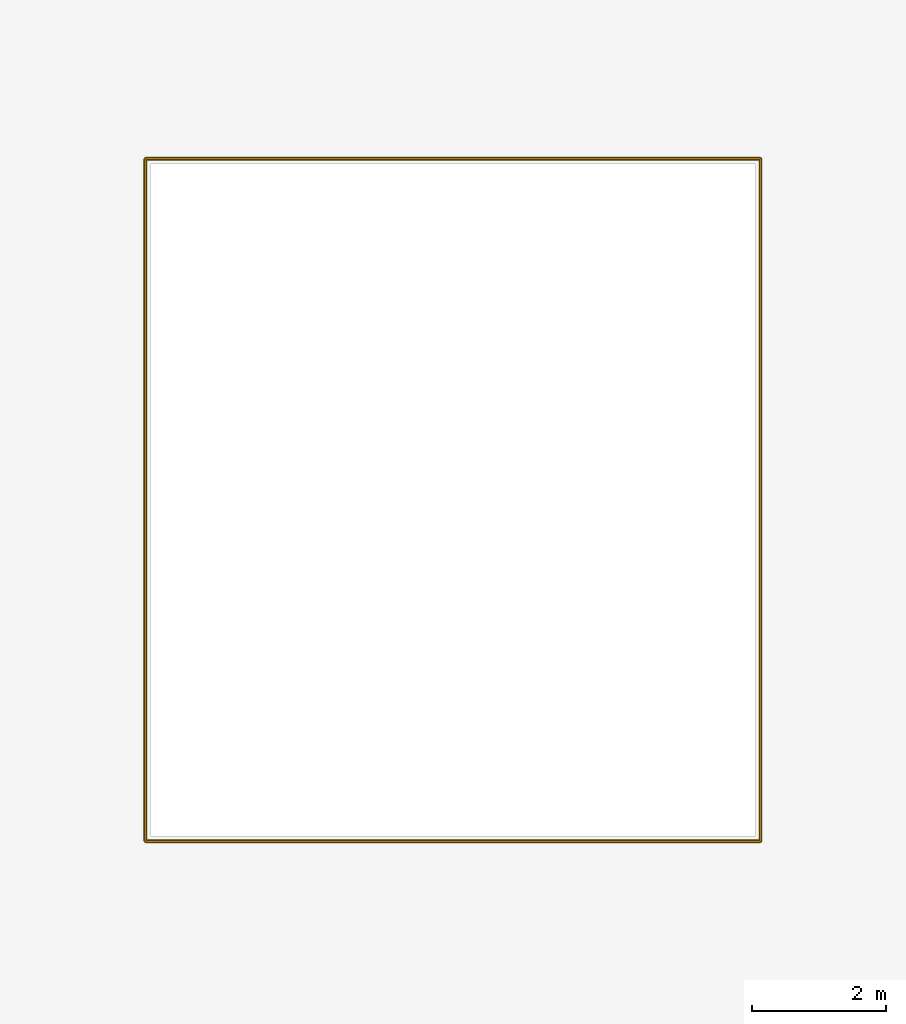
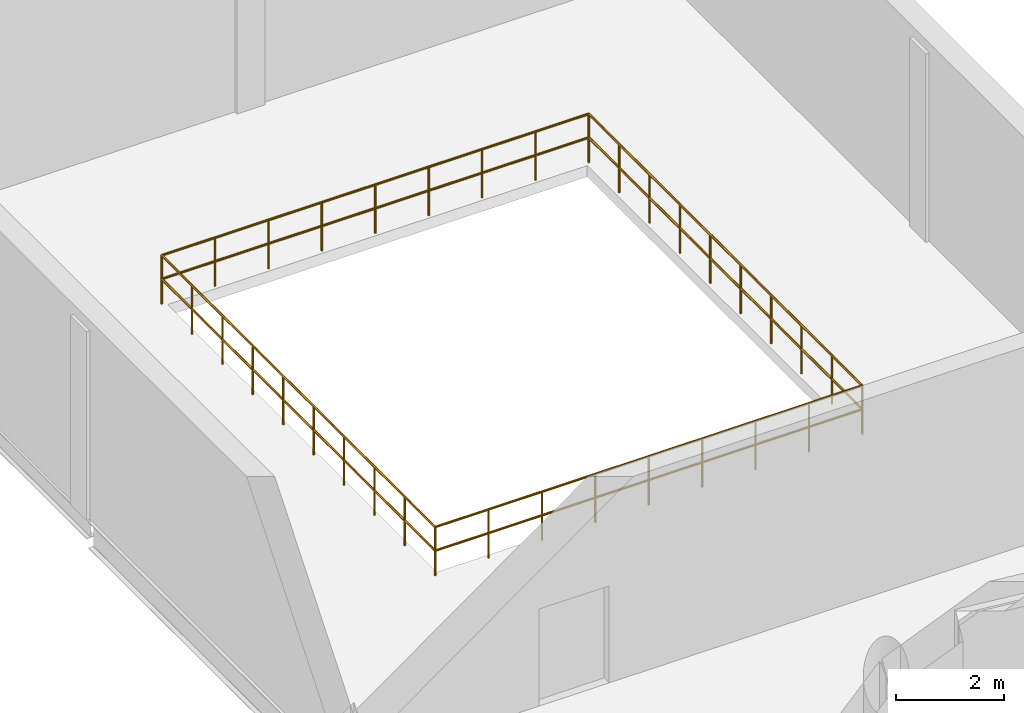
# One storey, part 10 of 10: 1 railing.
"""IFC4 building model written with IfcOpenShell, lengths in metres."""

from ifc_helpers import new_model, si_unit, direction, frame, origin, origin_2d, place, context, subcontext, project, spatial, circle, extrude, material, type_object, element, save


model = new_model("IFC4")

# Units and contexts
model_context = context("Model", 3, precision=1e-05, world=origin(), true_north=direction((0.0, 1.0)))
body_context = subcontext(model_context, "Body", "Model", "MODEL_VIEW")
ifc_project = project(units=[si_unit("LENGTHUNIT", "METRE"), si_unit("AREAUNIT", "SQUARE_METRE"), si_unit("VOLUMEUNIT", "CUBIC_METRE"), si_unit("PLANEANGLEUNIT", "RADIAN"), si_unit("MASSUNIT", "GRAM", prefix="KILO")], contexts=[model_context])

# Site, building, storey
site_placement = place(None, origin())
site = spatial("IfcSite", under=ifc_project, at=site_placement, CompositionType="ELEMENT")
building_placement = place(site_placement, origin())
building = spatial("IfcBuilding", under=site, at=building_placement, Name="Marnock Terrace Opera House", CompositionType="ELEMENT")
storey_placement = place(building_placement, frame((0.0, 0.0, 23.699951171875)))
storey = spatial("IfcBuildingStorey", under=building, at=storey_placement, Name="L05", CompositionType="ELEMENT", Elevation=23.699951171875)

# Railing
ifc_material = material(Name="Architectural bronze balustrade")
railing_type = type_object("IfcRailingType", Name="RL-ATRIUM-1120", PredefinedType="BALUSTRADE", material=ifc_material)
railing_placement = place(storey_placement, frame((77.419921875, 88.919921875, 0.0)))
element("IfcRailing", 1, at=railing_placement, inside=storey, type_object=railing_type, Name="L05 floor opening balustrade GRIDIRON-VOID", PredefinedType="BALUSTRADE", context=body_context, shape_type="SweptSolid", body=[
    extrude(circle(Radius=0.02392578125, at=origin_2d()), frame((0.0, 0.0, 1.09619140625), z_axis=(1.0, 0.0, 0.0), x_axis=(0.0, 1.0, 0.0)), (0.0, 0.0, 1.0), 9.16015625),
    extrude(circle(Radius=0.02392578125, at=origin_2d()), frame((0.0, 0.0, 0.56005859375), z_axis=(1.0, 0.0, 0.0), x_axis=(0.0, 1.0, 0.0)), (0.0, 0.0, 1.0), 9.16015625),
    extrude(circle(Radius=0.02392578125, at=origin_2d()), frame((9.16015625, 0.0, 1.09619140625), z_axis=(0.0, 1.0, 0.0), x_axis=(-1.0, 0.0, 0.0)), (0.0, 0.0, 1.0), 10.16015625),
    extrude(circle(Radius=0.02392578125, at=origin_2d()), frame((9.16015625, 0.0, 0.56005859375), z_axis=(0.0, 1.0, 0.0), x_axis=(-1.0, 0.0, 0.0)), (0.0, 0.0, 1.0), 10.16015625),
    extrude(circle(Radius=0.02392578125, at=origin_2d()), frame((9.16015625, 10.16015625, 1.09619140625), z_axis=(-1.0, 0.0, 0.0), x_axis=(0.0, -1.0, 0.0)), (0.0, 0.0, 1.0), 9.16015625),
    extrude(circle(Radius=0.02392578125, at=origin_2d()), frame((9.16015625, 10.16015625, 0.56005859375), z_axis=(-1.0, 0.0, 0.0), x_axis=(0.0, -1.0, 0.0)), (0.0, 0.0, 1.0), 9.16015625),
    extrude(circle(Radius=0.02392578125, at=origin_2d()), frame((0.0, 10.16015625, 1.09619140625), z_axis=(0.0, -1.0, 0.0), x_axis=(1.0, 0.0, 0.0)), (0.0, 0.0, 1.0), 10.16015625),
    extrude(circle(Radius=0.02392578125, at=origin_2d()), frame((0.0, 10.16015625, 0.56005859375), z_axis=(0.0, -1.0, 0.0), x_axis=(1.0, 0.0, 0.0)), (0.0, 0.0, 1.0), 10.16015625),
    extrude(circle(Radius=0.02099609375, at=origin_2d()), origin(), (0.0, 0.0, 1.0), 1.072021484375),
    extrude(circle(Radius=0.02099609375, at=origin_2d()), frame((1.14501953125, 0.0, 0.0)), (0.0, 0.0, 1.0), 1.072021484375),
    extrude(circle(Radius=0.02099609375, at=origin_2d()), frame((2.2900390625, 0.0, 0.0)), (0.0, 0.0, 1.0), 1.072021484375),
    extrude(circle(Radius=0.02099609375, at=origin_2d()), frame((3.43505859375, 0.0, 0.0)), (0.0, 0.0, 1.0), 1.072021484375),
    extrude(circle(Radius=0.02099609375, at=origin_2d()), frame((4.580078125, 0.0, 0.0)), (0.0, 0.0, 1.0), 1.072021484375),
    extrude(circle(Radius=0.02099609375, at=origin_2d()), frame((5.72509765625, 0.0, 0.0)), (0.0, 0.0, 1.0), 1.072021484375),
    extrude(circle(Radius=0.02099609375, at=origin_2d()), frame((6.8701171875, 0.0, 0.0)), (0.0, 0.0, 1.0), 1.072021484375),
    extrude(circle(Radius=0.02099609375, at=origin_2d()), frame((8.01513671875, 0.0, 0.0)), (0.0, 0.0, 1.0), 1.072021484375),
    extrude(circle(Radius=0.02099609375, at=origin_2d()), frame((9.16015625, 0.0, 0.0)), (0.0, 0.0, 1.0), 1.072021484375),
    extrude(circle(Radius=0.02099609375, at=origin_2d()), frame((9.16015625, 1.12890625, 0.0)), (0.0, 0.0, 1.0), 1.072021484375),
    extrude(circle(Radius=0.02099609375, at=origin_2d()), frame((9.16015625, 2.2578125, 0.0)), (0.0, 0.0, 1.0), 1.072021484375),
    extrude(circle(Radius=0.02099609375, at=origin_2d()), frame((9.16015625, 3.38671875, 0.0)), (0.0, 0.0, 1.0), 1.072021484375),
    extrude(circle(Radius=0.02099609375, at=origin_2d()), frame((9.16015625, 4.515625, 0.0)), (0.0, 0.0, 1.0), 1.072021484375),
    extrude(circle(Radius=0.02099609375, at=origin_2d()), frame((9.16015625, 5.64453125, 0.0)), (0.0, 0.0, 1.0), 1.072021484375),
    extrude(circle(Radius=0.02099609375, at=origin_2d()), frame((9.16015625, 6.7734375, 0.0)), (0.0, 0.0, 1.0), 1.072021484375),
    extrude(circle(Radius=0.02099609375, at=origin_2d()), frame((9.16015625, 7.90234375, 0.0)), (0.0, 0.0, 1.0), 1.072021484375),
    extrude(circle(Radius=0.02099609375, at=origin_2d()), frame((9.16015625, 9.03125, 0.0)), (0.0, 0.0, 1.0), 1.072021484375),
    extrude(circle(Radius=0.02099609375, at=origin_2d()), frame((9.16015625, 10.16015625, 0.0)), (0.0, 0.0, 1.0), 1.072021484375),
    extrude(circle(Radius=0.02099609375, at=origin_2d()), frame((8.01513671875, 10.16015625, 0.0)), (0.0, 0.0, 1.0), 1.072021484375),
    extrude(circle(Radius=0.02099609375, at=origin_2d()), frame((6.8701171875, 10.16015625, 0.0)), (0.0, 0.0, 1.0), 1.072021484375),
    extrude(circle(Radius=0.02099609375, at=origin_2d()), frame((5.72509765625, 10.16015625, 0.0)), (0.0, 0.0, 1.0), 1.072021484375),
    extrude(circle(Radius=0.02099609375, at=origin_2d()), frame((4.580078125, 10.16015625, 0.0)), (0.0, 0.0, 1.0), 1.072021484375),
    extrude(circle(Radius=0.02099609375, at=origin_2d()), frame((3.43505859375, 10.16015625, 0.0)), (0.0, 0.0, 1.0), 1.072021484375),
    extrude(circle(Radius=0.02099609375, at=origin_2d()), frame((2.2900390625, 10.16015625, 0.0)), (0.0, 0.0, 1.0), 1.072021484375),
    extrude(circle(Radius=0.02099609375, at=origin_2d()), frame((1.14501953125, 10.16015625, 0.0)), (0.0, 0.0, 1.0), 1.072021484375),
    extrude(circle(Radius=0.02099609375, at=origin_2d()), frame((0.0, 10.16015625, 0.0)), (0.0, 0.0, 1.0), 1.072021484375),
    extrude(circle(Radius=0.02099609375, at=origin_2d()), frame((0.0, 9.03125, 0.0)), (0.0, 0.0, 1.0), 1.072021484375),
    extrude(circle(Radius=0.02099609375, at=origin_2d()), frame((0.0, 7.90234375, 0.0)), (0.0, 0.0, 1.0), 1.072021484375),
    extrude(circle(Radius=0.02099609375, at=origin_2d()), frame((0.0, 6.7734375, 0.0)), (0.0, 0.0, 1.0), 1.072021484375),
    extrude(circle(Radius=0.02099609375, at=origin_2d()), frame((0.0, 5.64453125, 0.0)), (0.0, 0.0, 1.0), 1.072021484375),
    extrude(circle(Radius=0.02099609375, at=origin_2d()), frame((0.0, 4.515625, 0.0)), (0.0, 0.0, 1.0), 1.072021484375),
    extrude(circle(Radius=0.02099609375, at=origin_2d()), frame((0.0, 3.38671875, 0.0)), (0.0, 0.0, 1.0), 1.072021484375),
    extrude(circle(Radius=0.02099609375, at=origin_2d()), frame((0.0, 2.2578125, 0.0)), (0.0, 0.0, 1.0), 1.072021484375),
    extrude(circle(Radius=0.02099609375, at=origin_2d()), frame((0.0, 1.12890625, 0.0)), (0.0, 0.0, 1.0), 1.072021484375),
])

save(model, "model.ifc")
